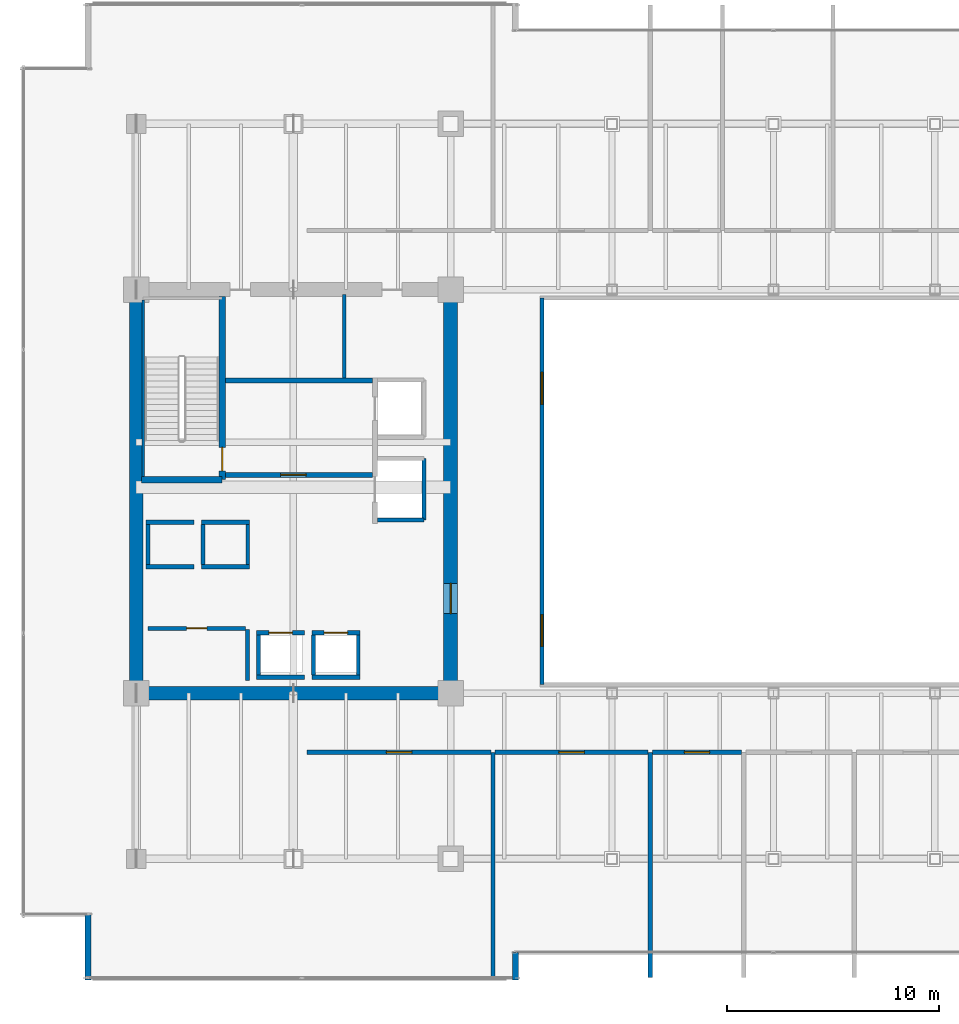
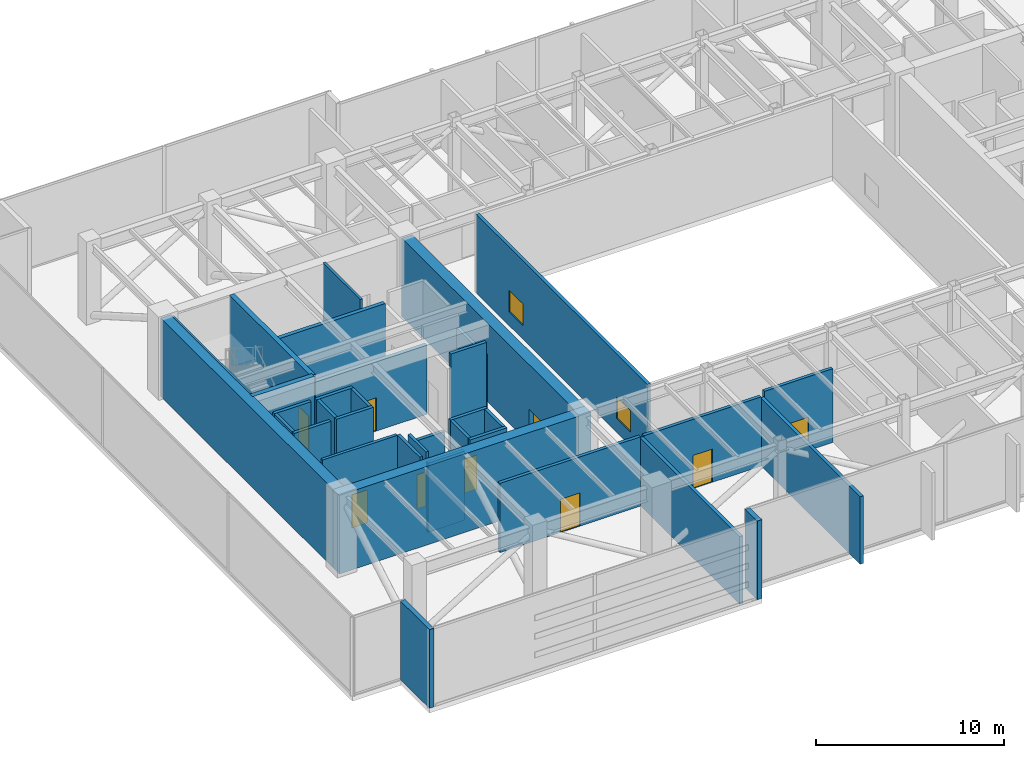
# One storey, part 28 of 34: 35 walls, 9 doors, 2 windows, 11 openings.
"""IFC4 building model written with IfcOpenShell, lengths in metres."""

from ifc_helpers import new_model, si_unit, direction, frame, frame_2d, origin, place, context, subcontext, project, spatial, rectangle, extrude, source, transform, mapped, material, layer, layer_set, type_object, type_shapes, element, fill, save


model = new_model("IFC4")

# Units and contexts
model_context = context("Model", 3, precision=1e-05, world=origin(), true_north=direction((0.0, 1.0)))
body_context = subcontext(model_context, "Body", "Model", "MODEL_VIEW")
ifc_project = project(units=[si_unit("LENGTHUNIT", "METRE"), si_unit("AREAUNIT", "SQUARE_METRE"), si_unit("VOLUMEUNIT", "CUBIC_METRE"), si_unit("PLANEANGLEUNIT", "RADIAN"), si_unit("MASSUNIT", "GRAM", prefix="KILO")], contexts=[model_context])

# Site, building, storey
site_placement = place(None, origin())
site = spatial("IfcSite", under=ifc_project, at=site_placement, CompositionType="ELEMENT")
building_placement = place(site_placement, origin())
building = spatial("IfcBuilding", under=site, at=building_placement, Name="Haelvirn Gate Laboratories", CompositionType="ELEMENT")
storey_placement = place(building_placement, frame((0.0, 0.0, 191.199951171875)))
storey = spatial("IfcBuildingStorey", under=building, at=storey_placement, Name="L46", CompositionType="ELEMENT", Elevation=191.199951171875)

# Walls
ifc_material_1 = material(Name="Thermally-broken bronze aluminium rainscreen & mineral wool", Category="aluminium")
ifc_layer_1 = layer(ifc_material_1, 0.280029296875, Name="EW-TERR-280")
ifc_layer_set_1 = layer_set([ifc_layer_1], Name="Thermally-broken bronze aluminium rainscreen & mineral wool")
wall_type_1 = type_object("IfcWallType", Name="EW-TERR-280", PredefinedType="STANDARD", material=ifc_layer_set_1)
wall_1_placement = place(storey_placement, frame((25.260009765625, 1.300048828125, 0.0), z_axis=(0.0, 0.0, 1.0), x_axis=(0.0, 1.0, 0.0)))
element("IfcWall", 1, at=wall_1_placement, inside=storey, type_object=wall_type_1, Name="L46 Atrium Recess Bronze Return Wall 01", PredefinedType="STANDARD", context=body_context, shape_type="SweptSolid", body=[
    extrude(rectangle(XDim=1.287841796875, YDim=0.280029296875, at=frame_2d((0.64404296875, 0.0))), origin(), (0.0, 0.0, 1.0), 5.10009765625),
])
wall_2_placement = place(storey_placement, frame((5.139892578125, 4.387939453125, 0.0), z_axis=(0.0, 0.0, 1.0), x_axis=(0.0, -1.0, 0.0)))
element("IfcWall", 2, at=wall_2_placement, inside=storey, type_object=wall_type_1, Name="L46 Atrium Recess Bronze Return Wall 19", PredefinedType="STANDARD", context=body_context, shape_type="SweptSolid", body=[
    extrude(rectangle(XDim=3.087890625, YDim=0.280029296875, at=frame_2d((1.5439453125, 0.0))), origin(), (0.0, 0.0, 1.0), 5.10009765625),
])

# Wall, openings, windows
ifc_material_2 = material(Name="Tempered fire-rated borosilicate glass & anodised aluminium", Category="aluminium")
ifc_layer_2 = layer(ifc_material_2, 0.195068359375, Name="IW-GLAZ-200")
ifc_layer_set_2 = layer_set([ifc_layer_2], Name="Tempered fire-rated borosilicate glass & anodised aluminium")
wall_type_2 = type_object("IfcWallType", Name="IW-GLAZ-200", PredefinedType="SOLIDWALL", material=ifc_layer_set_2)
wall_3_placement = place(storey_placement, frame((26.5, 15.199951171875, 0.0), z_axis=(0.0, 0.0, 1.0), x_axis=(0.0, 1.0, 0.0)))
wall_3 = element("IfcWall", 3, at=wall_3_placement, inside=storey, type_object=wall_type_2, Name="L46 Interior Wall IW-L46-ATRIUM-W", PredefinedType="SOLIDWALL", context=body_context, shape_type="SweptSolid", body=[
    extrude(rectangle(XDim=18.199951171875, YDim=0.195068359375, at=frame_2d((9.10009765625, 0.0))), origin(), (0.0, 0.0, 1.0), 5.10009765625),
])
opening_1_placement = place(wall_3_placement, frame((1.800048828125, 0.0, 0.89990234375)))
opening_1 = element("IfcOpeningElement", 4, at=opening_1_placement, cuts=wall_3, Name="Opening W5", PredefinedType="OPENING", context=body_context, shape_type="SweptSolid", body=[
    extrude(rectangle(XDim=1.5, YDim=1.39990234375, at=frame_2d((0.75, 0.699951171875))), frame((0.0, 0.107421875, 0.0), z_axis=(0.0, -1.0, 0.0), x_axis=(1.0, 0.0, 0.0)), (0.0, 0.0, 1.0), 0.215087890625),
])
opening_2_placement = place(wall_3_placement, frame((13.199951171875, 0.0, 0.89990234375)))
opening_2 = element("IfcOpeningElement", 5, at=opening_2_placement, cuts=wall_3, Name="Opening W5", PredefinedType="OPENING", context=body_context, shape_type="SweptSolid", body=[
    extrude(rectangle(XDim=1.5, YDim=1.39990234375, at=frame_2d((0.75, 0.699951171875))), frame((0.0, 0.107421875, 0.0), z_axis=(0.0, -1.0, 0.0), x_axis=(1.0, 0.0, 0.0)), (0.0, 0.0, 1.0), 0.215087890625),
])
ifc_material_3 = material(Name="Fire-rated EI 120 borosilicate atrium vision glazing", Category="glass")
window_type = type_object("IfcWindowType", Name="WN-ATR-1500", PartitioningType="SINGLE_PANEL", PredefinedType="WINDOW", material=ifc_material_3)
shared_shape_1 = source(origin(), body_context, "Body", "SweptSolid", [
    extrude(rectangle(XDim=1.5, YDim=1.39990234375, at=frame_2d((0.75, 0.699951171875))), frame((0.0, 0.030029296875, 0.0), z_axis=(0.0, -1.0, 0.0), x_axis=(1.0, 0.0, 0.0)), (0.0, 0.0, 1.0), 0.06005859375),
])
type_shapes(window_type, [shared_shape_1])
window_1_placement = place(opening_1_placement, origin())
window_1 = element("IfcWindow", 6, at=window_1_placement, inside=storey, type_object=window_type, Name="L46 Atrium Observation Window 1", OverallHeight=1.39990234375, OverallWidth=1.5, PartitioningType="SINGLE_PANEL", PredefinedType="WINDOW", context=body_context, shape_type="MappedRepresentation", body=[
    mapped(shared_shape_1, transform((0.0, 0.0, 0.0), scale=1.0)),
])
fill(opening_1, window_1)
window_2_placement = place(opening_2_placement, origin())
window_2 = element("IfcWindow", 7, at=window_2_placement, inside=storey, type_object=window_type, Name="L46 Atrium Observation Window 2", OverallHeight=1.39990234375, OverallWidth=1.5, PartitioningType="SINGLE_PANEL", PredefinedType="WINDOW", context=body_context, shape_type="MappedRepresentation", body=[
    mapped(shared_shape_1, transform((0.0, 0.0, 0.0), scale=1.0)),
])
fill(opening_2, window_2)

# Walls
ifc_material_4 = material(Name="Cement-board restroom plumbing chase wall", Category="gypsum")
ifc_layer_3 = layer(ifc_material_4, 0.155029296875, Name="IW-PLUMB-160")
ifc_layer_set_3 = layer_set([ifc_layer_3], Name="Cement-board restroom plumbing chase wall")
wall_type_3 = type_object("IfcWallType", Name="IW-PLUMB-160", PredefinedType="PLUMBINGWALL", material=ifc_layer_set_3)
wall_4_placement = place(storey_placement, frame((17.18994140625, 29.64990234375, 0.0), z_axis=(0.0, 0.0, 1.0), x_axis=(0.0, 1.0, 0.0)))
element("IfcWall", 8, at=wall_4_placement, inside=storey, type_object=wall_type_3, Name="L46 Interior Wall IW-L46-W-CDIV-1", PredefinedType="PLUMBINGWALL", context=body_context, shape_type="SweptSolid", body=[
    extrude(rectangle(XDim=3.93017578125, YDim=0.155029296875, at=frame_2d((1.965087890625, 0.0))), origin(), (0.0, 0.0, 1.0), 5.10009765625),
])
ifc_material_5 = material(Name="Concrete C40/50", Category="concrete")
ifc_layer_4 = layer(ifc_material_5, 0.179931640625, Name="IW-SHAFT-180")
ifc_layer_set_4 = layer_set([ifc_layer_4], Name="Concrete C40/50")
wall_type_4 = type_object("IfcWallType", Name="IW-SHAFT-180", PredefinedType="SOLIDWALL", material=ifc_layer_set_4)
for number, where, z_axis, x_axis, name in (
    (9, (13.14990234375, 15.64990234375, 0.0), (0.0, 0.0, 1.0), (0.0, 1.0, 0.0), "L46 Interior Wall IW-L46-PL5-SD"),
    (10, (15.75, 15.64990234375, 0.0), (0.0, 0.0, 1.0), (0.0, 1.0, 0.0), "L46 Interior Wall IW-L46-PL6-SD"),
    (11, (17.85009765625, 15.64990234375, 0.0), (0.0, 0.0, 1.0), (0.0, 1.0, 0.0), "L46 Interior Wall IW-L46-PL6-SDE"),
):
    element("IfcWall", number, at=place(storey_placement, frame(where, z_axis=z_axis, x_axis=x_axis)), inside=storey, type_object=wall_type_4, Name=name, PredefinedType="SOLIDWALL", context=body_context, shape_type="SweptSolid", body=[
        extrude(rectangle(XDim=1.900146484375, YDim=0.179931640625, at=frame_2d((0.9501953125, 0.0))), origin(), (0.0, 0.0, 1.0), 5.10009765625),
    ])
for number, where, z_axis, x_axis, name in (
    (12, (7.949951171875, 20.85009765625, 0.0), (0.0, 0.0, 1.0), (0.0, 1.0, 0.0), "L46 Interior Wall IW-L46-PL9-SD"),
    (13, (10.550048828125, 20.85009765625, 0.0), (0.0, 0.0, 1.0), (0.0, 1.0, 0.0), "L46 Interior Wall IW-L46-PL10-SD"),
    (14, (12.64990234375, 20.85009765625, 0.0), (0.0, 0.0, 1.0), (0.0, 1.0, 0.0), "L46 Interior Wall IW-L46-PL10-SDE"),
):
    element("IfcWall", number, at=place(storey_placement, frame(where, z_axis=z_axis, x_axis=x_axis)), inside=storey, type_object=wall_type_4, Name=name, PredefinedType="SOLIDWALL", context=body_context, shape_type="SweptSolid", body=[
        extrude(rectangle(XDim=1.89990234375, YDim=0.179931640625, at=frame_2d((0.949951171875, 0.0))), origin(), (0.0, 0.0, 1.0), 5.10009765625),
    ])

# Wall, opening, door
wall_5_placement = place(storey_placement, frame((7.949951171875, 17.85009765625, 0.0), z_axis=(0.0, 0.0, 1.0), x_axis=(1.0, 0.0, 0.0)))
wall_5 = element("IfcWall", 15, at=wall_5_placement, inside=storey, type_object=wall_type_4, Name="L46 Interior Wall IW-L46-W-FREED-LN-1", PredefinedType="SOLIDWALL", context=body_context, shape_type="SweptSolid", body=[
    extrude(rectangle(XDim=4.60009765625, YDim=0.179931640625, at=frame_2d((2.300048828125, 0.0))), origin(), (0.0, 0.0, 1.0), 5.10009765625),
])
opening_3_placement = place(wall_5_placement, frame((1.824951171875, 0.0, 0.0)))
opening_3 = element("IfcOpeningElement", 16, at=opening_3_placement, cuts=wall_5, Name="Opening FD4", PredefinedType="OPENING", context=body_context, shape_type="SweptSolid", body=[
    extrude(rectangle(XDim=0.949951171875, YDim=2.14990234375, at=frame_2d((0.47509765625, 1.074951171875))), frame((0.0, 0.10009765625, 0.0), z_axis=(0.0, -1.0, 0.0), x_axis=(1.0, 0.0, 0.0)), (0.0, 0.0, 1.0), 0.199951171875),
])
ifc_material_6 = material(Name="Fire-rated steel SM355 core service door", Category="steel")
door_type_1 = type_object("IfcDoorType", Name="DR-FD-950", OperationType="NOTDEFINED", PredefinedType="DOOR", material=ifc_material_6)
shared_shape_2 = source(origin(), body_context, "Body", "SweptSolid", [
    extrude(rectangle(XDim=0.949951171875, YDim=2.14990234375, at=frame_2d((0.47509765625, 1.074951171875))), frame((0.0, 0.02490234375, 0.0), z_axis=(0.0, -1.0, 0.0), x_axis=(1.0, 0.0, 0.0)), (0.0, 0.0, 1.0), 0.050048828125),
])
type_shapes(door_type_1, [shared_shape_2])
door_1_placement = place(opening_3_placement, origin())
door_1 = element("IfcDoor", 17, at=door_1_placement, inside=storey, type_object=door_type_1, Name="L46 Cryogenic Specimen Biobank Door", OperationType="SINGLE_SWING_LEFT", OverallHeight=2.14990234375, OverallWidth=0.949951171875, PredefinedType="DOOR", context=body_context, shape_type="MappedRepresentation", body=[
    mapped(shared_shape_2, transform((0.0, 0.0, 0.0), scale=1.0)),
])
fill(opening_3, door_1)

# Wall
wall_6_placement = place(storey_placement, frame((12.639892578125, 15.39990234375, 0.0), z_axis=(0.0, 0.0, 1.0), x_axis=(0.0, 1.0, 0.0)))
element("IfcWall", 18, at=wall_6_placement, inside=storey, type_object=wall_type_4, Name="L46 Interior Wall IW-L46-W-FREED-LE-1", PredefinedType="SOLIDWALL", context=body_context, shape_type="SweptSolid", body=[
    extrude(rectangle(XDim=2.400146484375, YDim=0.179931640625, at=frame_2d((1.2001953125, 0.0))), origin(), (0.0, 0.0, 1.0), 5.10009765625),
])

# Wall, opening, door
ifc_layer_5 = layer(ifc_material_5, 0.199951171875, Name="IW-SHAFT-200")
ifc_layer_set_5 = layer_set([ifc_layer_5], Name="Concrete C40/50")
wall_type_5 = type_object("IfcWallType", Name="IW-SHAFT-200", PredefinedType="SOLIDWALL", material=ifc_layer_set_5)
wall_7_placement = place(storey_placement, frame((13.070068359375, 17.64990234375, 0.0), z_axis=(0.0, 0.0, 1.0), x_axis=(1.0, 0.0, 0.0)))
wall_7 = element("IfcWall", 19, at=wall_7_placement, inside=storey, type_object=wall_type_5, Name="L46 Interior Wall IW-L46-PL5-FR", PredefinedType="SOLIDWALL", context=body_context, shape_type="SweptSolid", body=[
    extrude(rectangle(XDim=2.260009765625, YDim=0.199951171875, at=frame_2d((1.1298828125, 0.0))), origin(), (0.0, 0.0, 1.0), 4.4970703125),
])
opening_4_placement = place(wall_7_placement, frame((0.580078125, 0.0, 0.0)))
opening_4 = element("IfcOpeningElement", 20, at=opening_4_placement, cuts=wall_7, Name="Opening LD2", PredefinedType="OPENING", context=body_context, shape_type="SweptSolid", body=[
    extrude(rectangle(XDim=1.10009765625, YDim=2.219970703125, at=frame_2d((0.550048828125, 1.10986328125))), frame((0.0, 0.10986328125, 0.0), z_axis=(0.0, -1.0, 0.0), x_axis=(1.0, 0.0, 0.0)), (0.0, 0.0, 1.0), 0.219970703125),
])
ifc_material_7 = material(Name="Bronze stainless 316L sliding lift landing door")
door_type_2 = type_object("IfcDoorType", Name="DR-LD-1100", OperationType="NOTDEFINED", PredefinedType="USERDEFINED", material=ifc_material_7)
shared_shape_3 = source(origin(), body_context, "Body", "SweptSolid", [
    extrude(rectangle(XDim=1.10009765625, YDim=2.219970703125, at=frame_2d((0.550048828125, 1.10986328125))), frame((0.0, 0.02490234375, 0.0), z_axis=(0.0, -1.0, 0.0), x_axis=(1.0, 0.0, 0.0)), (0.0, 0.0, 1.0), 0.050048828125),
])
type_shapes(door_type_2, [shared_shape_3])
door_2_placement = place(opening_4_placement, origin())
door_2 = element("IfcDoor", 21, at=door_2_placement, inside=storey, type_object=door_type_2, Name="L46 Passenger Lift PL5 Landing Door", ObjectType="LANDING_DOOR", OperationType="SLIDING_TO_LEFT", OverallHeight=2.219970703125, OverallWidth=1.10009765625, PredefinedType="USERDEFINED", context=body_context, shape_type="MappedRepresentation", body=[
    mapped(shared_shape_3, transform((0.0, 0.0, 0.0), scale=1.0)),
])
fill(opening_4, door_2)

# Wall
wall_8_placement = place(storey_placement, frame((13.070068359375, 15.550048828125, 0.0), z_axis=(0.0, 0.0, 1.0), x_axis=(1.0, 0.0, 0.0)))
element("IfcWall", 22, at=wall_8_placement, inside=storey, type_object=wall_type_5, Name="L46 Interior Wall IW-L46-PL5-BK", PredefinedType="SOLIDWALL", context=body_context, shape_type="SweptSolid", body=[
    extrude(rectangle(XDim=2.260009765625, YDim=0.199951171875, at=frame_2d((1.1298828125, 0.0))), origin(), (0.0, 0.0, 1.0), 4.4970703125),
])

# Wall, opening, door
wall_9_placement = place(storey_placement, frame((15.669921875, 17.64990234375, 0.0), z_axis=(0.0, 0.0, 1.0), x_axis=(1.0, 0.0, 0.0)))
wall_9 = element("IfcWall", 23, at=wall_9_placement, inside=storey, type_object=wall_type_5, Name="L46 Interior Wall IW-L46-PL6-FR", PredefinedType="SOLIDWALL", context=body_context, shape_type="SweptSolid", body=[
    extrude(rectangle(XDim=2.260009765625, YDim=0.199951171875, at=frame_2d((1.1298828125, 0.0))), origin(), (0.0, 0.0, 1.0), 5.10009765625),
])
opening_5_placement = place(wall_9_placement, frame((0.580078125, 0.0, 0.0)))
opening_5 = element("IfcOpeningElement", 24, at=opening_5_placement, cuts=wall_9, Name="Opening LD2", PredefinedType="OPENING", context=body_context, shape_type="SweptSolid", body=[
    extrude(rectangle(XDim=1.10009765625, YDim=2.219970703125, at=frame_2d((0.550048828125, 1.10986328125))), frame((0.0, 0.10986328125, 0.0), z_axis=(0.0, -1.0, 0.0), x_axis=(1.0, 0.0, 0.0)), (0.0, 0.0, 1.0), 0.219970703125),
])
door_3_placement = place(opening_5_placement, origin())
door_3 = element("IfcDoor", 25, at=door_3_placement, inside=storey, type_object=door_type_2, Name="L46 Passenger Lift PL6 Landing Door", ObjectType="LANDING_DOOR", OperationType="SLIDING_TO_RIGHT", OverallHeight=2.219970703125, OverallWidth=1.10009765625, PredefinedType="USERDEFINED", context=body_context, shape_type="MappedRepresentation", body=[
    mapped(shared_shape_3, transform((0.0, 0.0, 0.0), scale=1.0)),
])
fill(opening_5, door_3)

# Walls
wall_10_placement = place(storey_placement, frame((15.669921875, 15.550048828125, 0.0), z_axis=(0.0, 0.0, 1.0), x_axis=(1.0, 0.0, 0.0)))
element("IfcWall", 26, at=wall_10_placement, inside=storey, type_object=wall_type_5, Name="L46 Interior Wall IW-L46-PL6-BK", PredefinedType="SOLIDWALL", context=body_context, shape_type="SweptSolid", body=[
    extrude(rectangle(XDim=2.260009765625, YDim=0.199951171875, at=frame_2d((1.1298828125, 0.0))), origin(), (0.0, 0.0, 1.0), 5.10009765625),
])
for number, where, z_axis, x_axis, name in (
    (27, (7.8701171875, 20.75, 0.0), (0.0, 0.0, 1.0), (1.0, 0.0, 0.0), "L46 Interior Wall IW-L46-PL9-FR"),
    (28, (7.8701171875, 22.85009765625, 0.0), (0.0, 0.0, 1.0), (1.0, 0.0, 0.0), "L46 Interior Wall IW-L46-PL9-BK"),
):
    element("IfcWall", number, at=place(storey_placement, frame(where, z_axis=z_axis, x_axis=x_axis)), inside=storey, type_object=wall_type_5, Name=name, PredefinedType="SOLIDWALL", context=body_context, shape_type="SweptSolid", body=[
        extrude(rectangle(XDim=2.259765625, YDim=0.199951171875, at=frame_2d((1.1298828125, 0.0))), origin(), (0.0, 0.0, 1.0), 5.10009765625),
    ])
for number, where, z_axis, x_axis, name in (
    (29, (10.469970703125, 20.75, 0.0), (0.0, 0.0, 1.0), (1.0, 0.0, 0.0), "L46 Interior Wall IW-L46-PL10-FR"),
    (30, (10.469970703125, 22.85009765625, 0.0), (0.0, 0.0, 1.0), (1.0, 0.0, 0.0), "L46 Interior Wall IW-L46-PL10-BK"),
):
    element("IfcWall", number, at=place(storey_placement, frame(where, z_axis=z_axis, x_axis=x_axis)), inside=storey, type_object=wall_type_5, Name=name, PredefinedType="SOLIDWALL", context=body_context, shape_type="SweptSolid", body=[
        extrude(rectangle(XDim=2.260009765625, YDim=0.199951171875, at=frame_2d((1.1298828125, 0.0))), origin(), (0.0, 0.0, 1.0), 5.10009765625),
    ])
wall_11_placement = place(storey_placement, frame((20.949951171875, 22.949951171875, 0.0), z_axis=(0.0, 0.0, 1.0), x_axis=(0.0, 1.0, 0.0)))
element("IfcWall", 31, at=wall_11_placement, inside=storey, type_object=wall_type_5, Name="L46 Interior Wall IW-L46-SL1-BK", PredefinedType="SOLIDWALL", context=body_context, shape_type="SweptSolid", body=[
    extrude(rectangle(XDim=2.900146484375, YDim=0.199951171875, at=frame_2d((1.4501953125, 0.0))), origin(), (0.0, 0.0, 1.0), 4.235107421875),
])
wall_12_placement = place(storey_placement, frame((18.760009765625, 22.949951171875, 0.0), z_axis=(0.0, 0.0, 1.0), x_axis=(1.0, 0.0, 0.0)))
element("IfcWall", 32, at=wall_12_placement, inside=storey, type_object=wall_type_5, Name="L46 Interior Wall IW-L46-SL1-S", PredefinedType="SOLIDWALL", context=body_context, shape_type="SweptSolid", body=[
    extrude(rectangle(XDim=2.18994140625, YDim=0.199951171875, at=frame_2d((1.094970703125, 0.0))), origin(), (0.0, 0.0, 1.0), 5.10009765625),
])

# Wall, opening, door
wall_13_placement = place(storey_placement, frame((15.449951171875, 12.02001953125, 0.0), z_axis=(0.0, 0.0, 1.0), x_axis=(1.0, 0.0, 0.0)))
wall_13 = element("IfcWall", 33, at=wall_13_placement, inside=storey, type_object=wall_type_5, Name="L46 Interior Wall IW-L46-PSW-1", PredefinedType="SOLIDWALL", context=body_context, shape_type="SweptSolid", body=[
    extrude(rectangle(XDim=8.650146484375, YDim=0.199951171875, at=frame_2d((4.3251953125, 0.0))), origin(), (0.0, 0.0, 1.0), 4.4970703125),
])
opening_6_placement = place(wall_13_placement, frame((3.72509765625, 0.0, 0.0)))
opening_6 = element("IfcOpeningElement", 34, at=opening_6_placement, cuts=wall_13, Name="Opening FD2", PredefinedType="OPENING", context=body_context, shape_type="SweptSolid", body=[
    extrude(rectangle(XDim=1.199951171875, YDim=2.159912109375, at=frame_2d((0.60009765625, 1.080078125))), frame((0.0, 0.10986328125, 0.0), z_axis=(0.0, -1.0, 0.0), x_axis=(1.0, 0.0, 0.0)), (0.0, 0.0, 1.0), 0.219970703125),
])
ifc_material_8 = material(Name="Fire-rated steel SM355 compartment door", Category="steel")
door_type_3 = type_object("IfcDoorType", Name="DR-FD-1200", OperationType="NOTDEFINED", PredefinedType="DOOR", material=ifc_material_8)
shared_shape_4 = source(origin(), body_context, "Body", "SweptSolid", [
    extrude(rectangle(XDim=1.199951171875, YDim=2.159912109375, at=frame_2d((0.60009765625, 1.080078125))), frame((0.0, 0.02490234375, 0.0), z_axis=(0.0, -1.0, 0.0), x_axis=(1.0, 0.0, 0.0)), (0.0, 0.0, 1.0), 0.050048828125),
])
type_shapes(door_type_3, [shared_shape_4])
door_4_placement = place(opening_6_placement, origin())
door_4 = element("IfcDoor", 35, at=door_4_placement, inside=storey, type_object=door_type_3, Name="L46 West Sky Evacuation Refuge Zone 2A Fire Door", OperationType="SINGLE_SWING_LEFT", OverallHeight=2.159912109375, OverallWidth=1.199951171875, PredefinedType="DOOR", context=body_context, shape_type="MappedRepresentation", body=[
    mapped(shared_shape_4, transform((0.0, 0.0, 0.0), scale=1.0)),
])
fill(opening_6, door_4)

# Wall
wall_14_placement = place(storey_placement, frame((24.199951171875, 1.409912109375, 0.0), z_axis=(0.0, 0.0, 1.0), x_axis=(0.0, 1.0, 0.0)))
element("IfcWall", 36, at=wall_14_placement, inside=storey, type_object=wall_type_5, Name="L46 Interior Wall IW-L46-PSDIV-1", PredefinedType="SOLIDWALL", context=body_context, shape_type="SweptSolid", body=[
    extrude(rectangle(XDim=10.610107421875, YDim=0.199951171875, at=frame_2d((5.30517578125, 0.0))), origin(), (0.0, 0.0, 1.0), 4.385009765625),
])

# Wall, opening, door
wall_15_placement = place(storey_placement, frame((24.300048828125, 12.02001953125, 0.0), z_axis=(0.0, 0.0, 1.0), x_axis=(1.0, 0.0, 0.0)))
wall_15 = element("IfcWall", 37, at=wall_15_placement, inside=storey, type_object=wall_type_5, Name="L46 Interior Wall IW-L46-PSW-2", PredefinedType="SOLIDWALL", context=body_context, shape_type="SweptSolid", body=[
    extrude(rectangle(XDim=7.199951171875, YDim=0.199951171875, at=frame_2d((3.60009765625, 0.0))), origin(), (0.0, 0.0, 1.0), 4.4970703125),
])
opening_7_placement = place(wall_15_placement, frame((3.0, 0.0, 0.0)))
opening_7 = element("IfcOpeningElement", 38, at=opening_7_placement, cuts=wall_15, Name="Opening FD2", PredefinedType="OPENING", context=body_context, shape_type="SweptSolid", body=[
    extrude(rectangle(XDim=1.199951171875, YDim=2.159912109375, at=frame_2d((0.60009765625, 1.080078125))), frame((0.0, 0.10986328125, 0.0), z_axis=(0.0, -1.0, 0.0), x_axis=(1.0, 0.0, 0.0)), (0.0, 0.0, 1.0), 0.219970703125),
])
door_5_placement = place(opening_7_placement, origin())
door_5 = element("IfcDoor", 39, at=door_5_placement, inside=storey, type_object=door_type_3, Name="L46 West Sky Evacuation Refuge Zone 2B Fire Door", OperationType="SINGLE_SWING_RIGHT", OverallHeight=2.159912109375, OverallWidth=1.199951171875, PredefinedType="DOOR", context=body_context, shape_type="MappedRepresentation", body=[
    mapped(shared_shape_4, transform((0.0, 0.0, 0.0), scale=1.0)),
])
fill(opening_7, door_5)

# Wall
wall_16_placement = place(storey_placement, frame((31.60009765625, 1.409912109375, 0.0), z_axis=(0.0, 0.0, 1.0), x_axis=(0.0, 1.0, 0.0)))
element("IfcWall", 40, at=wall_16_placement, inside=storey, type_object=wall_type_5, Name="L46 Interior Wall IW-L46-PSDIV-2", PredefinedType="SOLIDWALL", context=body_context, shape_type="SweptSolid", body=[
    extrude(rectangle(XDim=10.610107421875, YDim=0.199951171875, at=frame_2d((5.30517578125, 0.0))), origin(), (0.0, 0.0, 1.0), 4.385009765625),
])

# Wall, opening, door
wall_17_placement = place(storey_placement, frame((31.699951171875, 12.02001953125, 0.0), z_axis=(0.0, 0.0, 1.0), x_axis=(1.0, 0.0, 0.0)))
wall_17 = element("IfcWall", 41, at=wall_17_placement, inside=storey, type_object=wall_type_5, Name="L46 Interior Wall IW-L46-PSW-3", PredefinedType="SOLIDWALL", context=body_context, shape_type="SweptSolid", body=[
    extrude(rectangle(XDim=4.199951171875, YDim=0.199951171875, at=frame_2d((2.10009765625, 0.0))), origin(), (0.0, 0.0, 1.0), 4.78515625),
])
opening_8_placement = place(wall_17_placement, frame((1.5, 0.0, 0.0)))
opening_8 = element("IfcOpeningElement", 42, at=opening_8_placement, cuts=wall_17, Name="Opening FD2", PredefinedType="OPENING", context=body_context, shape_type="SweptSolid", body=[
    extrude(rectangle(XDim=1.199951171875, YDim=2.159912109375, at=frame_2d((0.60009765625, 1.080078125))), frame((0.0, 0.10986328125, 0.0), z_axis=(0.0, -1.0, 0.0), x_axis=(1.0, 0.0, 0.0)), (0.0, 0.0, 1.0), 0.219970703125),
])
door_6_placement = place(opening_8_placement, origin())
door_6 = element("IfcDoor", 43, at=door_6_placement, inside=storey, type_object=door_type_3, Name="L46 Mid-Zone Air Handling Plant Fire Door", OperationType="SINGLE_SWING_LEFT", OverallHeight=2.159912109375, OverallWidth=1.199951171875, PredefinedType="DOOR", context=body_context, shape_type="MappedRepresentation", body=[
    mapped(shared_shape_4, transform((0.0, 0.0, 0.0), scale=1.0)),
])
fill(opening_8, door_6)

ifc_layer_6 = layer(ifc_material_5, 0.239990234375, Name="IW-SHAFT-240")
ifc_layer_set_6 = layer_set([ifc_layer_6], Name="Concrete C40/50")
wall_type_6 = type_object("IfcWallType", Name="IW-SHAFT-240", PredefinedType="SOLIDWALL", material=ifc_layer_set_6)
wall_18_placement = place(storey_placement, frame((11.60009765625, 25.080078125, 0.0), z_axis=(0.0, 0.0, 1.0), x_axis=(1.0, 0.0, 0.0)))
wall_18 = element("IfcWall", 44, at=wall_18_placement, inside=storey, type_object=wall_type_6, Name="L46 Interior Wall IW-L46-W-FF-S", PredefinedType="SOLIDWALL", context=body_context, shape_type="SweptSolid", body=[
    extrude(rectangle(XDim=6.919921875, YDim=0.239990234375, at=frame_2d((3.4599609375, 0.0))), origin(), (0.0, 0.0, 1.0), 4.4970703125),
])
opening_9_placement = place(wall_18_placement, frame((2.60009765625, 0.0, 0.0)))
opening_9 = element("IfcOpeningElement", 45, at=opening_9_placement, cuts=wall_18, Name="Opening FD2", PredefinedType="OPENING", context=body_context, shape_type="SweptSolid", body=[
    extrude(rectangle(XDim=1.199951171875, YDim=2.159912109375, at=frame_2d((0.60009765625, 1.080078125))), frame((0.0, 0.1298828125, 0.0), z_axis=(0.0, -1.0, 0.0), x_axis=(1.0, 0.0, 0.0)), (0.0, 0.0, 1.0), 0.260009765625),
])
door_7_placement = place(opening_9_placement, origin())
door_7 = element("IfcDoor", 46, at=door_7_placement, inside=storey, type_object=door_type_3, Name="L46 West Firefighting Lobby Door", OperationType="SINGLE_SWING_RIGHT", OverallHeight=2.159912109375, OverallWidth=1.199951171875, PredefinedType="DOOR", context=body_context, shape_type="MappedRepresentation", body=[
    mapped(shared_shape_4, transform((0.0, 0.0, 0.0), scale=1.0)),
])
fill(opening_9, door_7)

# Walls
wall_19_placement = place(storey_placement, frame((11.60009765625, 29.52001953125, 0.0), z_axis=(0.0, 0.0, 1.0), x_axis=(1.0, 0.0, 0.0)))
element("IfcWall", 47, at=wall_19_placement, inside=storey, type_object=wall_type_6, Name="L46 Interior Wall IW-L46-W-FF-N", PredefinedType="SOLIDWALL", context=body_context, shape_type="SweptSolid", body=[
    extrude(rectangle(XDim=6.919921875, YDim=0.239990234375, at=frame_2d((3.4599609375, 0.0))), origin(), (0.0, 0.0, 1.0), 4.4970703125),
])
ifc_material_9 = material(Name="Concrete C60/75", Category="concrete")
ifc_layer_7 = layer(ifc_material_9, 0.64990234375, Name="SW-CORE-650")
ifc_layer_set_7 = layer_set([ifc_layer_7], Name="Concrete C60/75")
wall_type_7 = type_object("IfcWallType", Name="SW-CORE-650", PredefinedType="SHEAR", material=ifc_layer_set_7)
wall_20_placement = place(storey_placement, frame((7.074951171875, 14.800048828125, 0.0), z_axis=(0.0, 0.0, 1.0), x_axis=(1.0, 0.0, 0.0)))
element("IfcWall", 48, at=wall_20_placement, inside=storey, type_object=wall_type_7, Name="L46 W Core Shear Wall S", PredefinedType="SHEAR", context=body_context, shape_type="SweptSolid", body=[
    extrude(rectangle(XDim=15.449951171875, YDim=0.64990234375, at=frame_2d((7.72509765625, 0.0))), origin(), (0.0, 0.0, 1.0), 5.10009765625),
])
wall_21_placement = place(storey_placement, frame((7.39990234375, 15.125, 0.0), z_axis=(0.0, 0.0, 1.0), x_axis=(0.0, 1.0, 0.0)))
element("IfcWall", 49, at=wall_21_placement, inside=storey, type_object=wall_type_7, Name="L46 W Core Shear Wall W", PredefinedType="SHEAR", context=body_context, shape_type="SweptSolid", body=[
    extrude(rectangle(XDim=18.35009765625, YDim=0.64990234375, at=frame_2d((9.175048828125, 0.0))), origin(), (0.0, 0.0, 1.0), 5.10009765625),
])

# Wall, opening, door
wall_22_placement = place(storey_placement, frame((22.199951171875, 15.125, 0.0), z_axis=(0.0, 0.0, 1.0), x_axis=(0.0, 1.0, 0.0)))
wall_22 = element("IfcWall", 50, at=wall_22_placement, inside=storey, type_object=wall_type_7, Name="L46 W Core Shear Wall E", PredefinedType="SHEAR", context=body_context, shape_type="SweptSolid", body=[
    extrude(rectangle(XDim=18.35009765625, YDim=0.64990234375, at=frame_2d((9.175048828125, 0.0))), origin(), (0.0, 0.0, 1.0), 5.10009765625),
])
opening_10_placement = place(wall_22_placement, frame((3.425048828125, 0.0, 0.0)))
opening_10 = element("IfcOpeningElement", 51, at=opening_10_placement, cuts=wall_22, Name="Opening FD1", PredefinedType="OPENING", context=body_context, shape_type="SweptSolid", body=[
    extrude(rectangle(XDim=1.419921875, YDim=2.199951171875, at=frame_2d((0.7099609375, 1.10009765625))), frame((0.0, 0.3349609375, 0.0), z_axis=(0.0, -1.0, 0.0), x_axis=(1.0, 0.0, 0.0)), (0.0, 0.0, 1.0), 0.669921875),
])
ifc_material_10 = material(Name="Fire-rated double steel SM355 lobby door", Category="steel")
door_type_4 = type_object("IfcDoorType", Name="DR-FD-1400", OperationType="NOTDEFINED", PredefinedType="DOOR", material=ifc_material_10)
shared_shape_5 = source(origin(), body_context, "Body", "SweptSolid", [
    extrude(rectangle(XDim=1.419921875, YDim=2.199951171875, at=frame_2d((0.7099609375, 1.10009765625))), frame((0.0, 0.02490234375, 0.0), z_axis=(0.0, -1.0, 0.0), x_axis=(1.0, 0.0, 0.0)), (0.0, 0.0, 1.0), 0.050048828125),
])
type_shapes(door_type_4, [shared_shape_5])
door_8_placement = place(opening_10_placement, origin())
door_8 = element("IfcDoor", 52, at=door_8_placement, inside=storey, type_object=door_type_4, Name="L46 West Core Lift Lobby Fire Door", OperationType="DOUBLE_DOOR_SINGLE_SWING", OverallHeight=2.199951171875, OverallWidth=1.419921875, PredefinedType="DOOR", context=body_context, shape_type="MappedRepresentation", body=[
    mapped(shared_shape_5, transform((0.0, 0.0, 0.0), scale=1.0)),
])
fill(opening_10, door_8)

# Wall
ifc_material_11 = material(Name="Concrete C50/60", Category="concrete")
ifc_layer_8 = layer(ifc_material_11, 0.1201171875, Name="SW-LINER-120")
ifc_layer_set_8 = layer_set([ifc_layer_8], Name="Concrete C50/60")
wall_type_8 = type_object("IfcWallType", Name="SW-LINER-120", PredefinedType="SOLIDWALL", material=ifc_layer_set_8)
wall_23_placement = place(storey_placement, frame((7.72998046875, 25.0, 0.0), z_axis=(0.0, 0.0, 1.0), x_axis=(0.0, 1.0, 0.0)))
element("IfcWall", 53, at=wall_23_placement, inside=storey, type_object=wall_type_8, Name="L46 W Core Stair Shaft Liner Wall OUT", PredefinedType="SOLIDWALL", context=body_context, shape_type="SweptSolid", body=[
    extrude(rectangle(XDim=8.320068359375, YDim=0.1201171875, at=frame_2d((4.16015625, 0.0))), origin(), (0.0, 0.0, 1.0), 5.10009765625),
])

# Wall, opening, door
ifc_layer_9 = layer(ifc_material_11, 0.300048828125, Name="SW-STAIR-300")
ifc_layer_set_9 = layer_set([ifc_layer_9], Name="Concrete C50/60")
wall_type_9 = type_object("IfcWallType", Name="SW-STAIR-300", PredefinedType="SHEAR", material=ifc_layer_set_9)
wall_24_placement = place(storey_placement, frame((11.449951171875, 24.85009765625, 0.0), z_axis=(0.0, 0.0, 1.0), x_axis=(0.0, 1.0, 0.0)))
wall_24 = element("IfcWall", 54, at=wall_24_placement, inside=storey, type_object=wall_type_9, Name="L46 W Core Stair Shaft Structural Wall IN", PredefinedType="SHEAR", context=body_context, shape_type="SweptSolid", body=[
    extrude(rectangle(XDim=8.6298828125, YDim=0.300048828125, at=frame_2d((4.31494140625, 0.0))), origin(), (0.0, 0.0, 1.0), 5.10009765625),
])
opening_11_placement = place(wall_24_placement, frame((0.419921875, 0.0, 0.0)))
opening_11 = element("IfcOpeningElement", 55, at=opening_11_placement, cuts=wall_24, Name="Opening FD3", PredefinedType="OPENING", context=body_context, shape_type="SweptSolid", body=[
    extrude(rectangle(XDim=1.10009765625, YDim=2.14990234375, at=frame_2d((0.550048828125, 1.074951171875))), frame((0.0, 0.16015625, 0.0), z_axis=(0.0, -1.0, 0.0), x_axis=(1.0, 0.0, 0.0)), (0.0, 0.0, 1.0), 0.320068359375),
])
ifc_material_12 = material(Name="Fire-rated steel SM355 escape stair door", Category="steel")
door_type_5 = type_object("IfcDoorType", Name="DR-FD-1100", OperationType="NOTDEFINED", PredefinedType="DOOR", material=ifc_material_12)
shared_shape_6 = source(origin(), body_context, "Body", "SweptSolid", [
    extrude(rectangle(XDim=1.10009765625, YDim=2.14990234375, at=frame_2d((0.550048828125, 1.074951171875))), frame((0.0, 0.02490234375, 0.0), z_axis=(0.0, -1.0, 0.0), x_axis=(1.0, 0.0, 0.0)), (0.0, 0.0, 1.0), 0.050048828125),
])
type_shapes(door_type_5, [shared_shape_6])
door_9_placement = place(opening_11_placement, origin())
door_9 = element("IfcDoor", 56, at=door_9_placement, inside=storey, type_object=door_type_5, Name="L46 Escape Stair ST1 Fire Door", OperationType="SINGLE_SWING_LEFT", OverallHeight=2.14990234375, OverallWidth=1.10009765625, PredefinedType="DOOR", context=body_context, shape_type="MappedRepresentation", body=[
    mapped(shared_shape_6, transform((0.0, 0.0, 0.0), scale=1.0)),
])
fill(opening_11, door_9)

# Wall
wall_25_placement = place(storey_placement, frame((7.64990234375, 24.85009765625, 0.0), z_axis=(0.0, 0.0, 1.0), x_axis=(1.0, 0.0, 0.0)))
element("IfcWall", 57, at=wall_25_placement, inside=storey, type_object=wall_type_9, Name="L46 W Core Stair Shaft Structural Wall S", PredefinedType="SHEAR", context=body_context, shape_type="SweptSolid", body=[
    extrude(rectangle(XDim=3.800048828125, YDim=0.300048828125, at=frame_2d((1.89990234375, 0.0))), origin(), (0.0, 0.0, 1.0), 5.10009765625),
])

save(model, "model.ifc")
